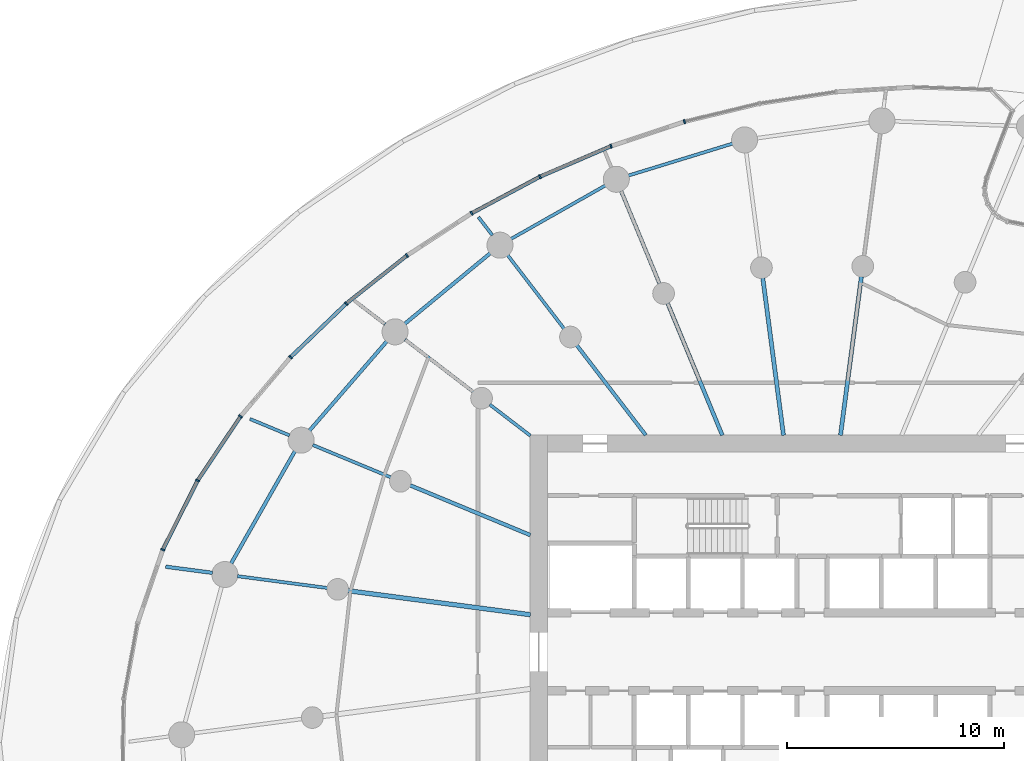
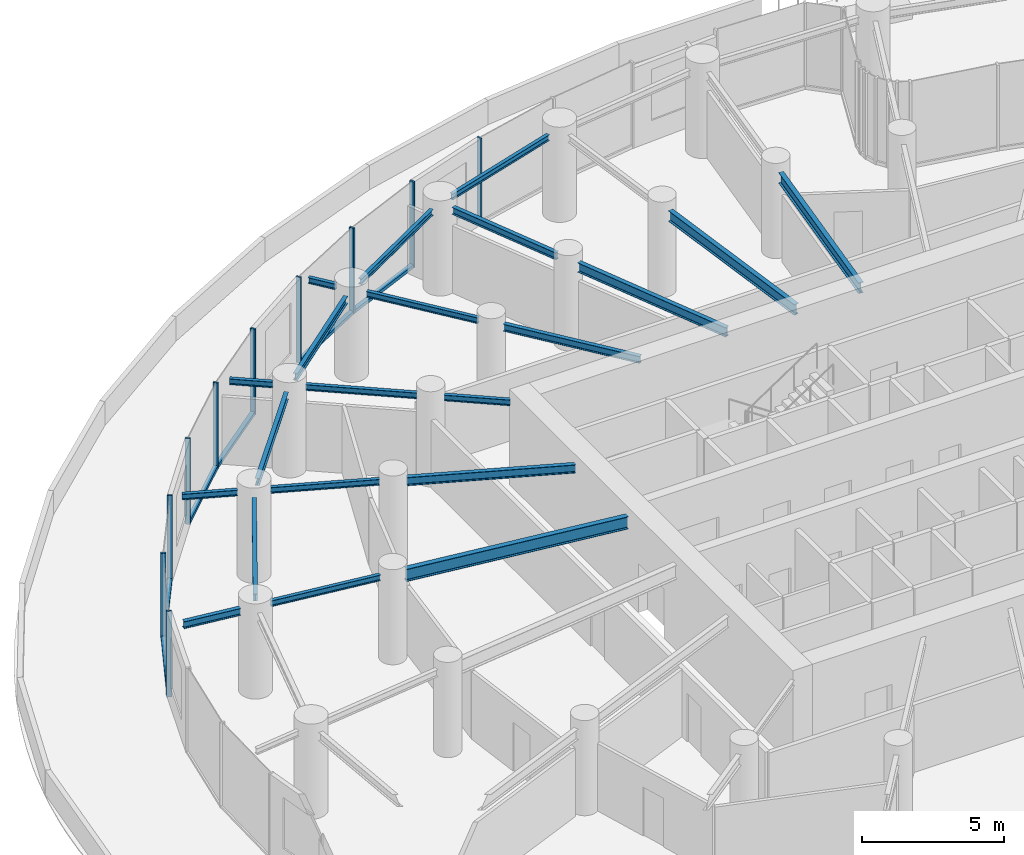
# One storey, part 5 of 24: 21 beams, 16 members, 3 elements without a shape of their own.
"""IFC4 building model written with IfcOpenShell, lengths in metres."""

from ifc_helpers import new_model, si_unit, direction, frame, origin, origin_2d, place, context, subcontext, project, spatial, rectangle, i_section, extrude, source, transform, mapped, material, layer, layer_set, material_profile, profile_set, type_object, element, aggregate, save


model = new_model("IFC4")

# Units and contexts
model_context = context("Model", 3, precision=1e-05, world=origin(), true_north=direction((0.0, 1.0)))
body_context = subcontext(model_context, "Body", "Model", "MODEL_VIEW")
ifc_project = project(units=[si_unit("LENGTHUNIT", "METRE"), si_unit("AREAUNIT", "SQUARE_METRE"), si_unit("VOLUMEUNIT", "CUBIC_METRE"), si_unit("PLANEANGLEUNIT", "RADIAN"), si_unit("MASSUNIT", "GRAM", prefix="KILO")], contexts=[model_context])

# Site, building, storey
site_placement = place(None, origin())
site = spatial("IfcSite", under=ifc_project, at=site_placement, CompositionType="ELEMENT")
building_placement = place(site_placement, origin())
building = spatial("IfcBuilding", under=site, at=building_placement, Name="Spindrift Exchange Tower", CompositionType="ELEMENT")
storey_placement = place(building_placement, frame((0.0, 0.0, 79.800048828125)))
storey = spatial("IfcBuildingStorey", under=building, at=storey_placement, Name="L18", CompositionType="ELEMENT", Elevation=79.800048828125)

# Beams
ifc_material_1 = material(Name="Steel Grade 300", Category="steel")
ifc_material_profile_1 = material_profile(ifc_material_1, i_section(OverallWidth=0.18994140625, OverallDepth=0.45703125, WebThickness=0.009033203125, FlangeThickness=0.014404296875, FilletRadius=0.013916015625, at=origin_2d()), Name="460UB74.6")
ifc_profile_set_1 = profile_set([ifc_material_profile_1], Name="Steel Grade 300")
beam_type_1 = type_object("IfcBeamType", Name="Floor Beam 460UB74.6 Steel Grade 300", PredefinedType="BEAM", material=ifc_profile_set_1)
shared_shape_1 = source(origin(), body_context, "Body", "SweptSolid", [
    extrude(i_section(OverallWidth=0.18994140625, OverallDepth=0.45703125, WebThickness=0.009033203125, FlangeThickness=0.014404296875, FilletRadius=0.013916015625, at=origin_2d()), origin(), (0.0, 0.0, 1.0), 7.374267578125),
])
beam_1_placement = place(storey_placement, frame((53.31396484375, 57.980224609375, 3.471435546875), z_axis=(0.130539295622, 0.99144313619, 0.0), x_axis=(-0.99144313619, 0.130539295622, 0.0)))
element("IfcBeam", 1, at=beam_1_placement, inside=storey, type_object=beam_type_1, Name="L18 radial beam R06A", PredefinedType="BEAM", context=body_context, shape_type="MappedRepresentation", body=[
    mapped(shared_shape_1, transform((0.0, 0.0, 0.0), scale=1.0)),
])
shared_shape_2 = source(origin(), body_context, "Body", "SweptSolid", [
    extrude(i_section(OverallWidth=0.18994140625, OverallDepth=0.45703125, WebThickness=0.009033203125, FlangeThickness=0.014404296875, FilletRadius=0.013916015625, at=origin_2d()), origin(), (0.0, 0.0, 1.0), 7.3095703125),
])
beam_2_placement = place(storey_placement, frame((50.68603515625, 57.980224609375, 3.471435546875), z_axis=(-0.130527087244, 0.991444743541, 0.0), x_axis=(-0.991444743541, -0.130527087244, 0.0)))
element("IfcBeam", 2, at=beam_2_placement, inside=storey, type_object=beam_type_1, Name="L18 radial beam R07A", PredefinedType="BEAM", context=body_context, shape_type="MappedRepresentation", body=[
    mapped(shared_shape_2, transform((0.0, 0.0, 0.0), scale=1.0)),
])
ifc_material_profile_2 = material_profile(ifc_material_1, i_section(OverallWidth=0.177978515625, OverallDepth=0.406005859375, WebThickness=0.0078125, FlangeThickness=0.0126953125, FilletRadius=0.013916015625, at=origin_2d()), Name="410UB59.7")
ifc_profile_set_2 = profile_set([ifc_material_profile_2], Name="Steel Grade 300")
beam_type_2 = type_object("IfcBeamType", Name="Floor Beam 410UB59.7 Steel Grade 300", PredefinedType="BEAM", material=ifc_profile_set_2)
shared_shape_3 = source(origin(), body_context, "Body", "SweptSolid", [
    extrude(i_section(OverallWidth=0.177978515625, OverallDepth=0.406005859375, WebThickness=0.0078125, FlangeThickness=0.0126953125, FilletRadius=0.013916015625, at=origin_2d()), origin(), (0.0, 0.0, 1.0), 6.594482421875),
])
beam_3_placement = place(storey_placement, frame((47.865478515625, 57.9814453125, 3.4970703125), z_axis=(-0.382692929746, 0.92387559851, 0.0), x_axis=(-0.92387559851, -0.382692929746, 0.0)))
element("IfcBeam", 3, at=beam_3_placement, inside=storey, type_object=beam_type_2, Name="L18 radial beam R08A", PredefinedType="BEAM", context=body_context, shape_type="MappedRepresentation", body=[
    mapped(shared_shape_3, transform((0.0, 0.0, 0.0), scale=1.0)),
])
ifc_material_profile_3 = material_profile(ifc_material_1, i_section(OverallWidth=0.1650390625, OverallDepth=0.303955078125, WebThickness=0.006103515625, FlangeThickness=0.01025390625, FilletRadius=0.011474609375, at=origin_2d()), Name="310UB40.4")
ifc_profile_set_3 = profile_set([ifc_material_profile_3], Name="Steel Grade 300")
beam_type_3 = type_object("IfcBeamType", Name="Floor Beam 310UB40.4 Steel Grade 300", PredefinedType="BEAM", material=ifc_profile_set_3)
shared_shape_4 = source(origin(), body_context, "Body", "SweptSolid", [
    extrude(i_section(OverallWidth=0.1650390625, OverallDepth=0.303955078125, WebThickness=0.006103515625, FlangeThickness=0.01025390625, FilletRadius=0.011474609375, at=origin_2d()), origin(), (0.0, 0.0, 1.0), 5.224609375),
])
beam_4_placement = place(storey_placement, frame((44.3388671875, 57.984130859375, 3.5478515625), z_axis=(-0.608741499316, 0.793368632485, 0.0), x_axis=(-0.793368632485, -0.608741499316, 0.0)))
element("IfcBeam", 4, at=beam_4_placement, inside=storey, type_object=beam_type_3, Name="L18 radial beam R09A", PredefinedType="BEAM", context=body_context, shape_type="MappedRepresentation", body=[
    mapped(shared_shape_4, transform((0.0, 0.0, 0.0), scale=1.0)),
])
ifc_material_profile_4 = material_profile(ifc_material_1, i_section(OverallWidth=0.14599609375, OverallDepth=0.251953125, WebThickness=0.006103515625, FlangeThickness=0.008544921875, FilletRadius=0.011962890625, at=origin_2d()), Name="250UB31.4")
ifc_profile_set_4 = profile_set([ifc_material_profile_4], Name="Steel Grade 300")
beam_type_4 = type_object("IfcBeamType", Name="Floor Beam 250UB31.4 Steel Grade 300", PredefinedType="BEAM", material=ifc_profile_set_4)
shared_shape_5 = source(origin(), body_context, "Body", "SweptSolid", [
    extrude(i_section(OverallWidth=0.14599609375, OverallDepth=0.251953125, WebThickness=0.006103515625, FlangeThickness=0.008544921875, FilletRadius=0.011962890625, at=origin_2d()), origin(), (0.0, 0.0, 1.0), 2.353759765625),
])
beam_5_placement = place(storey_placement, frame((39.015869140625, 57.963134765625, 3.573974609375), z_axis=(-0.793367573265, 0.608742879787, 0.0), x_axis=(-0.608742879787, -0.793367573265, 0.0)))
element("IfcBeam", 5, at=beam_5_placement, inside=storey, type_object=beam_type_4, Name="L18 radial beam R10A", PredefinedType="BEAM", context=body_context, shape_type="MappedRepresentation", body=[
    mapped(shared_shape_5, transform((0.0, 0.0, 0.0), scale=1.0)),
])
ifc_material_profile_5 = material_profile(ifc_material_1, i_section(OverallWidth=0.172119140625, OverallDepth=0.35888671875, WebThickness=0.008056640625, FlangeThickness=0.012939453125, FilletRadius=0.013916015625, at=origin_2d()), Name="360UB56.7")
ifc_profile_set_5 = profile_set([ifc_material_profile_5], Name="Steel Grade 300")
beam_type_5 = type_object("IfcBeamType", Name="Floor Beam 360UB56.7 Steel Grade 300", PredefinedType="BEAM", material=ifc_profile_set_5)
shared_shape_6 = source(origin(), body_context, "Body", "SweptSolid", [
    extrude(i_section(OverallWidth=0.172119140625, OverallDepth=0.35888671875, WebThickness=0.008056640625, FlangeThickness=0.012939453125, FilletRadius=0.013916015625, at=origin_2d()), origin(), (0.0, 0.0, 1.0), 6.004638671875),
])
beam_6_placement = place(storey_placement, frame((39.0185546875, 53.377197265625, 3.5205078125), z_axis=(-0.923882044911, 0.38267736684, 0.0), x_axis=(-0.38267736684, -0.923882044911, 0.0)))
element("IfcBeam", 6, at=beam_6_placement, inside=storey, type_object=beam_type_5, Name="L18 radial beam R11A", PredefinedType="BEAM", context=body_context, shape_type="MappedRepresentation", body=[
    mapped(shared_shape_6, transform((0.0, 0.0, 0.0), scale=1.0)),
])
ifc_material_profile_6 = material_profile(ifc_material_1, i_section(OverallWidth=0.208984375, OverallDepth=0.532958984375, WebThickness=0.01025390625, FlangeThickness=0.015625, FilletRadius=0.013916015625, at=origin_2d()), Name="530UB92.4")
ifc_profile_set_6 = profile_set([ifc_material_profile_6], Name="Steel Grade 300")
beam_type_6 = type_object("IfcBeamType", Name="Floor Beam 530UB92.4 Steel Grade 300", PredefinedType="BEAM", material=ifc_profile_set_6)
shared_shape_7 = source(origin(), body_context, "Body", "SweptSolid", [
    extrude(i_section(OverallWidth=0.208984375, OverallDepth=0.532958984375, WebThickness=0.01025390625, FlangeThickness=0.015625, FilletRadius=0.013916015625, at=origin_2d()), origin(), (0.0, 0.0, 1.0), 8.4794921875),
])
beam_7_placement = place(storey_placement, frame((39.019775390625, 49.708984375, 3.433349609375), z_axis=(-0.991446551951, 0.13051335037, 0.0), x_axis=(-0.13051335037, -0.991446551951, 0.0)))
element("IfcBeam", 7, at=beam_7_placement, inside=storey, type_object=beam_type_6, Name="L18 radial beam R12A", PredefinedType="BEAM", context=body_context, shape_type="MappedRepresentation", body=[
    mapped(shared_shape_7, transform((0.0, 0.0, 0.0), scale=1.0)),
])
shared_shape_8 = source(origin(), body_context, "Body", "SweptSolid", [
    extrude(i_section(OverallWidth=0.1650390625, OverallDepth=0.303955078125, WebThickness=0.006103515625, FlangeThickness=0.01025390625, FilletRadius=0.011474609375, at=origin_2d()), origin(), (0.0, 0.0, 1.0), 4.63671875),
])
beam_8_placement = place(storey_placement, frame((44.974609375, 64.9609375, 3.5478515625), z_axis=(-0.382692818086, 0.923875644763, 0.0), x_axis=(-0.923875644763, -0.382692818086, 0.0)))
element("IfcBeam", 8, at=beam_8_placement, inside=storey, type_object=beam_type_3, Name="L18 radial beam R08B", PredefinedType="BEAM", context=body_context, shape_type="MappedRepresentation", body=[
    mapped(shared_shape_8, transform((0.0, 0.0, 0.0), scale=1.0)),
])
shared_shape_9 = source(origin(), body_context, "Body", "SweptSolid", [
    extrude(i_section(OverallWidth=0.14599609375, OverallDepth=0.251953125, WebThickness=0.006103515625, FlangeThickness=0.008544921875, FilletRadius=0.011962890625, at=origin_2d()), origin(), (0.0, 0.0, 1.0), 4.27587890625),
])
beam_9_placement = place(storey_placement, frame((40.573974609375, 62.890625, 3.573974609375), z_axis=(-0.608725184746, 0.793381150177, 0.0), x_axis=(-0.793381150177, -0.608725184746, 0.0)))
element("IfcBeam", 9, at=beam_9_placement, inside=storey, type_object=beam_type_4, Name="L18 radial beam R09B", PredefinedType="BEAM", context=body_context, shape_type="MappedRepresentation", body=[
    mapped(shared_shape_9, transform((0.0, 0.0, 0.0), scale=1.0)),
])
ifc_material_profile_7 = material_profile(ifc_material_1, i_section(OverallWidth=0.14599609375, OverallDepth=0.251953125, WebThickness=0.006103515625, FlangeThickness=0.008544921875, FilletRadius=0.011962890625, at=origin_2d()), Name="250UB31.4")
ifc_profile_set_7 = profile_set([ifc_material_profile_7], Name="Steel Grade 300")
beam_type_7 = type_object("IfcBeamType", Name="Cantilever Beam 250UB31.4 Steel Grade 300", PredefinedType="BEAM", material=ifc_profile_set_7)
shared_shape_10 = source(origin(), body_context, "Body", "SweptSolid", [
    extrude(i_section(OverallWidth=0.14599609375, OverallDepth=0.251953125, WebThickness=0.006103515625, FlangeThickness=0.008544921875, FilletRadius=0.011962890625, at=origin_2d()), origin(), (0.0, 0.0, 1.0), 1.0537109375),
])
beam_10_placement = place(storey_placement, frame((37.264892578125, 67.203125, 3.573974609375), z_axis=(-0.608859474519, 0.793278097699, 0.0), x_axis=(-0.793278097699, -0.608859474519, 0.0)))
element("IfcBeam", 10, at=beam_10_placement, inside=storey, type_object=beam_type_7, Name="L18 cantilever beam R09T", PredefinedType="BEAM", context=body_context, shape_type="MappedRepresentation", body=[
    mapped(shared_shape_10, transform((0.0, 0.0, 0.0), scale=1.0)),
])
shared_shape_11 = source(origin(), body_context, "Body", "SweptSolid", [
    extrude(i_section(OverallWidth=0.14599609375, OverallDepth=0.251953125, WebThickness=0.006103515625, FlangeThickness=0.008544921875, FilletRadius=0.011962890625, at=origin_2d()), origin(), (0.0, 0.0, 1.0), 3.966064453125),
])
beam_11_placement = place(storey_placement, frame((36.38671875, 59.98046875, 3.573974609375), z_axis=(-0.79336256318, 0.608749409318, 0.0), x_axis=(-0.608749409318, -0.79336256318, 0.0)))
element("IfcBeam", 11, at=beam_11_placement, inside=storey, type_object=beam_type_4, Name="L18 radial beam R10B", PredefinedType="BEAM", context=body_context, shape_type="MappedRepresentation", body=[
    mapped(shared_shape_11, transform((0.0, 0.0, 0.0), scale=1.0)),
])
shared_shape_12 = source(origin(), body_context, "Body", "SweptSolid", [
    extrude(i_section(OverallWidth=0.14599609375, OverallDepth=0.251953125, WebThickness=0.006103515625, FlangeThickness=0.008544921875, FilletRadius=0.011962890625, at=origin_2d()), origin(), (0.0, 0.0, 1.0), 1.548095703125),
])
beam_12_placement = place(storey_placement, frame((32.320068359375, 63.10107421875, 3.573974609375), z_axis=(-0.793385485775, 0.608719533908, 0.0), x_axis=(-0.608719533908, -0.793385485775, 0.0)))
element("IfcBeam", 12, at=beam_12_placement, inside=storey, type_object=beam_type_7, Name="L18 cantilever beam R10T", PredefinedType="BEAM", context=body_context, shape_type="MappedRepresentation", body=[
    mapped(shared_shape_12, transform((0.0, 0.0, 0.0), scale=1.0)),
])
shared_shape_13 = source(origin(), body_context, "Body", "SweptSolid", [
    extrude(i_section(OverallWidth=0.14599609375, OverallDepth=0.251953125, WebThickness=0.006103515625, FlangeThickness=0.008544921875, FilletRadius=0.011962890625, at=origin_2d()), origin(), (0.0, 0.0, 1.0), 3.892333984375),
])
beam_13_placement = place(storey_placement, frame((32.583984375, 56.04248046875, 3.573974609375), z_axis=(-0.923878458273, 0.382686025794, 0.0), x_axis=(-0.382686025794, -0.923878458273, 0.0)))
element("IfcBeam", 13, at=beam_13_placement, inside=storey, type_object=beam_type_4, Name="L18 radial beam R11B", PredefinedType="BEAM", context=body_context, shape_type="MappedRepresentation", body=[
    mapped(shared_shape_13, transform((0.0, 0.0, 0.0), scale=1.0)),
])
shared_shape_14 = source(origin(), body_context, "Body", "SweptSolid", [
    extrude(i_section(OverallWidth=0.14599609375, OverallDepth=0.251953125, WebThickness=0.006103515625, FlangeThickness=0.008544921875, FilletRadius=0.011962890625, at=origin_2d()), origin(), (0.0, 0.0, 1.0), 1.976806640625),
])
beam_14_placement = place(storey_placement, frame((27.91650390625, 57.975830078125, 3.573974609375), z_axis=(-0.923911476661, 0.382606303261, 0.0), x_axis=(-0.382606303261, -0.923911476661, 0.0)))
element("IfcBeam", 14, at=beam_14_placement, inside=storey, type_object=beam_type_7, Name="L18 cantilever beam R11T", PredefinedType="BEAM", context=body_context, shape_type="MappedRepresentation", body=[
    mapped(shared_shape_14, transform((0.0, 0.0, 0.0), scale=1.0)),
])
shared_shape_15 = source(origin(), body_context, "Body", "SweptSolid", [
    extrude(i_section(OverallWidth=0.14599609375, OverallDepth=0.251953125, WebThickness=0.006103515625, FlangeThickness=0.008544921875, FilletRadius=0.011962890625, at=origin_2d()), origin(), (0.0, 0.0, 1.0), 4.186279296875),
])
beam_15_placement = place(storey_placement, frame((29.660888671875, 50.94091796875, 3.573974609375), z_axis=(-0.991445559167, 0.130520891848, 0.0), x_axis=(-0.130520891848, -0.991445559167, 0.0)))
element("IfcBeam", 15, at=beam_15_placement, inside=storey, type_object=beam_type_4, Name="L18 radial beam R12B", PredefinedType="BEAM", context=body_context, shape_type="MappedRepresentation", body=[
    mapped(shared_shape_15, transform((0.0, 0.0, 0.0), scale=1.0)),
])
ifc_material_profile_8 = material_profile(ifc_material_1, i_section(OverallWidth=0.1650390625, OverallDepth=0.303955078125, WebThickness=0.006103515625, FlangeThickness=0.01025390625, FilletRadius=0.011474609375, at=origin_2d()), Name="310UB40.4")
ifc_profile_set_8 = profile_set([ifc_material_profile_8], Name="Steel Grade 300")
beam_type_8 = type_object("IfcBeamType", Name="Cantilever Beam 310UB40.4 Steel Grade 300", PredefinedType="BEAM", material=ifc_profile_set_8)
shared_shape_16 = source(origin(), body_context, "Body", "SweptSolid", [
    extrude(i_section(OverallWidth=0.1650390625, OverallDepth=0.303955078125, WebThickness=0.006103515625, FlangeThickness=0.01025390625, FilletRadius=0.011474609375, at=origin_2d()), origin(), (0.0, 0.0, 1.0), 2.172119140625),
])
beam_16_placement = place(storey_placement, frame((24.360595703125, 51.638916015625, 3.5478515625), z_axis=(-0.991449321527, 0.130492309522, 0.0), x_axis=(-0.130492309522, -0.991449321527, 0.0)))
element("IfcBeam", 16, at=beam_16_placement, inside=storey, type_object=beam_type_8, Name="L18 cantilever beam R12T", PredefinedType="BEAM", context=body_context, shape_type="MappedRepresentation", body=[
    mapped(shared_shape_16, transform((0.0, 0.0, 0.0), scale=1.0)),
])
ifc_material_profile_9 = material_profile(ifc_material_1, i_section(OverallWidth=0.14599609375, OverallDepth=0.251953125, WebThickness=0.006103515625, FlangeThickness=0.008544921875, FilletRadius=0.011962890625, at=origin_2d()), Name="250UB31.4")
ifc_profile_set_9 = profile_set([ifc_material_profile_9], Name="Steel Grade 300")
beam_type_9 = type_object("IfcBeamType", Name="Edge Beam 250UB31.4 Steel Grade 300", PredefinedType="SPANDREL", material=ifc_profile_set_9)
shared_shape_17 = source(origin(), body_context, "Body", "SweptSolid", [
    extrude(i_section(OverallWidth=0.14599609375, OverallDepth=0.251953125, WebThickness=0.006103515625, FlangeThickness=0.008544921875, FilletRadius=0.011962890625, at=origin_2d()), origin(), (0.0, 0.0, 1.0), 5.027587890625),
])
beam_17_placement = place(storey_placement, frame((48.339111328125, 71.42529296875, 3.573974609375), z_axis=(-0.956018084082, -0.293307727325, 0.0), x_axis=(0.293307727325, -0.956018084082, 0.0)))
element("IfcBeam", 17, at=beam_17_placement, inside=storey, type_object=beam_type_9, Name="L18 edge beam E07", PredefinedType="SPANDREL", context=body_context, shape_type="MappedRepresentation", body=[
    mapped(shared_shape_17, transform((0.0, 0.0, 0.0), scale=1.0)),
])
shared_shape_18 = source(origin(), body_context, "Body", "SweptSolid", [
    extrude(i_section(OverallWidth=0.14599609375, OverallDepth=0.251953125, WebThickness=0.006103515625, FlangeThickness=0.008544921875, FilletRadius=0.011962890625, at=origin_2d()), origin(), (0.0, 0.0, 1.0), 5.0009765625),
])
beam_18_placement = place(storey_placement, frame((42.4736328125, 69.494384765625, 3.573974609375), z_axis=(-0.870045916697, -0.492970691663, 0.0), x_axis=(0.492970691663, -0.870045916697, 0.0)))
element("IfcBeam", 18, at=beam_18_placement, inside=storey, type_object=beam_type_9, Name="L18 edge beam E08", PredefinedType="SPANDREL", context=body_context, shape_type="MappedRepresentation", body=[
    mapped(shared_shape_18, transform((0.0, 0.0, 0.0), scale=1.0)),
])
ifc_material_profile_10 = material_profile(ifc_material_1, i_section(OverallWidth=0.1650390625, OverallDepth=0.303955078125, WebThickness=0.006103515625, FlangeThickness=0.01025390625, FilletRadius=0.011474609375, at=origin_2d()), Name="310UB40.4")
ifc_profile_set_10 = profile_set([ifc_material_profile_10], Name="Steel Grade 300")
beam_type_10 = type_object("IfcBeamType", Name="Edge Beam 310UB40.4 Steel Grade 300", PredefinedType="SPANDREL", material=ifc_profile_set_10)
shared_shape_19 = source(origin(), body_context, "Body", "SweptSolid", [
    extrude(i_section(OverallWidth=0.1650390625, OverallDepth=0.303955078125, WebThickness=0.006103515625, FlangeThickness=0.01025390625, FilletRadius=0.011474609375, at=origin_2d()), origin(), (0.0, 0.0, 1.0), 5.114501953125),
])
beam_19_placement = place(storey_placement, frame((37.1708984375, 66.373779296875, 3.5478515625), z_axis=(-0.771073837992, -0.63674573918, 0.0), x_axis=(0.63674573918, -0.771073837992, 0.0)))
element("IfcBeam", 19, at=beam_19_placement, inside=storey, type_object=beam_type_10, Name="L18 edge beam E09", PredefinedType="SPANDREL", context=body_context, shape_type="MappedRepresentation", body=[
    mapped(shared_shape_19, transform((0.0, 0.0, 0.0), scale=1.0)),
])
shared_shape_20 = source(origin(), body_context, "Body", "SweptSolid", [
    extrude(i_section(OverallWidth=0.1650390625, OverallDepth=0.303955078125, WebThickness=0.006103515625, FlangeThickness=0.01025390625, FilletRadius=0.011474609375, at=origin_2d()), origin(), (0.0, 0.0, 1.0), 5.448486328125),
])
beam_20_placement = place(storey_placement, frame((32.400390625, 62.3095703125, 3.5478515625), z_axis=(-0.654922008827, -0.755696475018, 0.0), x_axis=(0.755696475018, -0.654922008827, 0.0)))
element("IfcBeam", 20, at=beam_20_placement, inside=storey, type_object=beam_type_10, Name="L18 edge beam E10", PredefinedType="SPANDREL", context=body_context, shape_type="MappedRepresentation", body=[
    mapped(shared_shape_20, transform((0.0, 0.0, 0.0), scale=1.0)),
])
shared_shape_21 = source(origin(), body_context, "Body", "SweptSolid", [
    extrude(i_section(OverallWidth=0.1650390625, OverallDepth=0.303955078125, WebThickness=0.006103515625, FlangeThickness=0.01025390625, FilletRadius=0.011474609375, at=origin_2d()), origin(), (0.0, 0.0, 1.0), 5.9599609375),
])
beam_21_placement = place(storey_placement, frame((28.165771484375, 57.24951171875, 3.5478515625), z_axis=(-0.493940434745, -0.869495742901, 0.0), x_axis=(0.869495742901, -0.493940434745, 0.0)))
element("IfcBeam", 21, at=beam_21_placement, inside=storey, type_object=beam_type_10, Name="L18 edge beam E11", PredefinedType="SPANDREL", context=body_context, shape_type="MappedRepresentation", body=[
    mapped(shared_shape_21, transform((0.0, 0.0, 0.0), scale=1.0)),
])

# Curtain wall, members
ifc_material_2 = material(Name="Fritted laminated glass with bronze frame", Category="glass")
ifc_layer = layer(ifc_material_2, 0.18994140625)
ifc_layer_set = layer_set([ifc_layer], Name="ZONE 2 BRONZE FRITTED WALL")
curtain_wall_type = type_object("IfcCurtainWallType", Name="ZONE 2 BRONZE FRITTED WALL", PredefinedType="NOTDEFINED", material=ifc_layer_set)
curtain_wall_1_placement = place(storey_placement, origin())
curtain_wall_1 = element("IfcCurtainWall", 22, at=curtain_wall_1_placement, inside=storey, type_object=curtain_wall_type, Name="L18 Zone 2 Bronze Fritted Wall run 1", PredefinedType="NOTDEFINED")
ifc_material_3 = material(Name="Bronze anodised aluminium", Category="aluminium")
ifc_material_profile_11 = material_profile(ifc_material_3, rectangle(XDim=0.074951171875, YDim=0.18994140625, at=origin_2d()), Name="ZONE 2 BRONZE FRITTED WALL MULLION 75X190")
ifc_profile_set_11 = profile_set([ifc_material_profile_11], Name="Bronze anodised aluminium")
member_type_1 = type_object("IfcMemberType", Name="ZONE 2 BRONZE FRITTED WALL MULLION 75X190", PredefinedType="MULLION", material=ifc_profile_set_11)
shared_shape_22 = source(origin(), body_context, "Body", "SweptSolid", [
    extrude(rectangle(XDim=0.074951171875, YDim=0.18994140625, at=origin_2d()), origin(), (0.0, 0.0, 1.0), 3.699951171875),
])
member_1_placement = place(storey_placement, frame((46.118408203125, 72.435302734375, 0.0), z_axis=(0.0, 0.0, 1.0), x_axis=(-0.961216262977, -0.275795750126, 0.0)))
member_1 = element("IfcMember", 23, at=member_1_placement, type_object=member_type_1, Name="L18 mullion CW-2.5", PredefinedType="MULLION", context=body_context, shape_type="MappedRepresentation", body=[
    mapped(shared_shape_22, transform((0.0, 0.0, 0.0), scale=1.0)),
])
member_2_placement = place(storey_placement, frame((42.734619140625, 71.307373046875, 0.0), z_axis=(0.0, 0.0, 1.0), x_axis=(-0.93451366428, -0.355927255593, 0.0)))
member_2 = element("IfcMember", 24, at=member_2_placement, type_object=member_type_1, Name="L18 mullion CW-2.6", PredefinedType="MULLION", context=body_context, shape_type="MappedRepresentation", body=[
    mapped(shared_shape_22, transform((0.0, 0.0, 0.0), scale=1.0)),
])

curtain_wall_2_placement = place(storey_placement, origin())
curtain_wall_2 = element("IfcCurtainWall", 25, at=curtain_wall_2_placement, inside=storey, type_object=curtain_wall_type, Name="L18 Zone 2 Bronze Fritted Wall run 2", PredefinedType="NOTDEFINED")
member_3_placement = place(storey_placement, frame((39.4580078125, 69.8984375, 0.0), z_axis=(0.0, 0.0, 1.0), x_axis=(-0.901003645451, -0.433811515389, 0.0)))
member_3 = element("IfcMember", 26, at=member_3_placement, type_object=member_type_1, Name="L18 mullion CW-2.7", PredefinedType="MULLION", context=body_context, shape_type="MappedRepresentation", body=[
    mapped(shared_shape_22, transform((0.0, 0.0, 0.0), scale=1.0)),
])
member_4_placement = place(storey_placement, frame((36.313232421875, 68.2158203125, 0.0), z_axis=(0.0, 0.0, 1.0), x_axis=(-0.860221849334, -0.509919964238, 0.0)))
member_4 = element("IfcMember", 27, at=member_4_placement, type_object=member_type_1, Name="L18 mullion CW-2.8", PredefinedType="MULLION", context=body_context, shape_type="MappedRepresentation", body=[
    mapped(shared_shape_22, transform((0.0, 0.0, 0.0), scale=1.0)),
])
member_5_placement = place(storey_placement, frame((33.32763671875, 66.2646484375, 0.0), z_axis=(0.0, 0.0, 1.0), x_axis=(-0.811324967582, -0.584595413066, 0.0)))
member_5 = element("IfcMember", 28, at=member_5_placement, type_object=member_type_1, Name="L18 mullion CW-2.9", PredefinedType="MULLION", context=body_context, shape_type="MappedRepresentation", body=[
    mapped(shared_shape_22, transform((0.0, 0.0, 0.0), scale=1.0)),
])
member_6_placement = place(storey_placement, frame((30.531982421875, 64.050048828125, 0.0), z_axis=(0.0, 0.0, 1.0), x_axis=(-0.753079415271, -0.657929627161, 0.0)))
member_6 = element("IfcMember", 29, at=member_6_placement, type_object=member_type_1, Name="L18 mullion CW-2.10", PredefinedType="MULLION", context=body_context, shape_type="MappedRepresentation", body=[
    mapped(shared_shape_22, transform((0.0, 0.0, 0.0), scale=1.0)),
])
member_7_placement = place(storey_placement, frame((27.96240234375, 61.5771484375, 0.0), z_axis=(0.0, 0.0, 1.0), x_axis=(-0.683865410873, -0.729608182391, 0.0)))
member_7 = element("IfcMember", 30, at=member_7_placement, type_object=member_type_1, Name="L18 mullion CW-2.11", PredefinedType="MULLION", context=body_context, shape_type="MappedRepresentation", body=[
    mapped(shared_shape_22, transform((0.0, 0.0, 0.0), scale=1.0)),
])
member_8_placement = place(storey_placement, frame((25.660888671875, 58.853271484375, 0.0), z_axis=(0.0, 0.0, 1.0), x_axis=(-0.601625393173, -0.798778371195, 0.0)))
member_8 = element("IfcMember", 31, at=member_8_placement, type_object=member_type_1, Name="L18 mullion CW-2.12", PredefinedType="MULLION", context=body_context, shape_type="MappedRepresentation", body=[
    mapped(shared_shape_22, transform((0.0, 0.0, 0.0), scale=1.0)),
])

curtain_wall_3_placement = place(storey_placement, origin())
curtain_wall_3 = element("IfcCurtainWall", 32, at=curtain_wall_3_placement, inside=storey, type_object=curtain_wall_type, Name="L18 Zone 2 Bronze Fritted Wall run 3", PredefinedType="NOTDEFINED")
member_9_placement = place(storey_placement, frame((23.678466796875, 55.889404296875, 0.0), z_axis=(0.0, 0.0, 1.0), x_axis=(-0.503963086588, -0.863725192035, 0.0)))
member_9 = element("IfcMember", 33, at=member_9_placement, type_object=member_type_1, Name="L18 mullion CW-2.13", PredefinedType="MULLION", context=body_context, shape_type="MappedRepresentation", body=[
    mapped(shared_shape_22, transform((0.0, 0.0, 0.0), scale=1.0)),
])
member_10_placement = place(storey_placement, frame((22.073974609375, 52.70556640625, 0.0), z_axis=(0.0, 0.0, 1.0), x_axis=(-0.388457676179, -0.921466566848, 0.0)))
member_10 = element("IfcMember", 34, at=member_10_placement, type_object=member_type_1, Name="L18 mullion CW-2.14", PredefinedType="MULLION", context=body_context, shape_type="MappedRepresentation", body=[
    mapped(shared_shape_22, transform((0.0, 0.0, 0.0), scale=1.0)),
])

# Member
ifc_material_profile_12 = material_profile(ifc_material_3, rectangle(XDim=0.169921875, YDim=0.139892578125, at=origin_2d()), Name="ZONE 2 BRONZE FRITTED WALL TRANSOM 170X140")
ifc_profile_set_12 = profile_set([ifc_material_profile_12], Name="Bronze anodised aluminium")
member_type_2 = type_object("IfcMemberType", Name="ZONE 2 BRONZE FRITTED WALL TRANSOM 170X140", PredefinedType="USERDEFINED", material=ifc_profile_set_12)
shared_shape_23 = source(origin(), body_context, "Body", "SweptSolid", [
    extrude(rectangle(XDim=0.169921875, YDim=0.139892578125, at=origin_2d()), origin(), (0.0, 0.0, 1.0), 3.4912109375),
])
member_11_placement = place(storey_placement, frame((33.29833984375, 66.2412109375, 0.070068359375), z_axis=(-0.783895496819, -0.620892784679, 0.0), x_axis=(0.620892784679, -0.783895496819, 0.0)))
member_11 = element("IfcMember", 35, at=member_11_placement, type_object=member_type_2, Name="L18 transom CW-2.9", ObjectType="TRANSOM", PredefinedType="USERDEFINED", context=body_context, shape_type="MappedRepresentation", body=[
    mapped(shared_shape_23, transform((0.0, 0.0, 0.0), scale=1.0)),
])

member_12_placement = place(storey_placement, frame((30.505126953125, 64.024169921875, 0.070068359375), z_axis=(-0.720542752942, -0.693410514186, 0.0), x_axis=(0.693410514186, -0.720542752942, 0.0)))
member_12 = element("IfcMember", 36, at=member_12_placement, type_object=member_type_2, Name="L18 transom CW-2.10", ObjectType="TRANSOM", PredefinedType="USERDEFINED", context=body_context, shape_type="MappedRepresentation", body=[
    mapped(shared_shape_23, transform((0.0, 0.0, 0.0), scale=1.0)),
])

shared_shape_24 = source(origin(), body_context, "Body", "SweptSolid", [
    extrude(rectangle(XDim=0.169921875, YDim=0.139892578125, at=origin_2d()), origin(), (0.0, 0.0, 1.0), 3.49169921875),
])
member_13_placement = place(storey_placement, frame((42.7001953125, 71.29248046875, 0.070068359375), z_axis=(-0.918688724612, -0.394982312606, 0.0), x_axis=(0.394982312606, -0.918688724612, 0.0)))
member_13 = element("IfcMember", 37, at=member_13_placement, type_object=member_type_2, Name="L18 transom CW-2.6", ObjectType="TRANSOM", PredefinedType="USERDEFINED", context=body_context, shape_type="MappedRepresentation", body=[
    mapped(shared_shape_24, transform((0.0, 0.0, 0.0), scale=1.0)),
])

aggregate(curtain_wall_1, [member_1, member_2, member_13])

member_14_placement = place(storey_placement, frame((39.425048828125, 69.880859375, 0.070068359375), z_axis=(-0.881694005758, -0.471821661447, 0.0), x_axis=(0.471821661447, -0.881694005758, 0.0)))
member_14 = element("IfcMember", 38, at=member_14_placement, type_object=member_type_2, Name="L18 transom CW-2.7", ObjectType="TRANSOM", PredefinedType="USERDEFINED", context=body_context, shape_type="MappedRepresentation", body=[
    mapped(shared_shape_24, transform((0.0, 0.0, 0.0), scale=1.0)),
])

shared_shape_25 = source(origin(), body_context, "Body", "SweptSolid", [
    extrude(rectangle(XDim=0.169921875, YDim=0.139892578125, at=origin_2d()), origin(), (0.0, 0.0, 1.0), 3.490478515625),
])
member_15_placement = place(storey_placement, frame((25.64013671875, 58.822021484375, 0.070068359375), z_axis=(-0.555974654386, -0.831199244273, 0.0), x_axis=(0.831199244273, -0.555974654386, 0.0)))
member_15 = element("IfcMember", 39, at=member_15_placement, type_object=member_type_2, Name="L18 transom CW-2.12", ObjectType="TRANSOM", PredefinedType="USERDEFINED", context=body_context, shape_type="MappedRepresentation", body=[
    mapped(shared_shape_25, transform((0.0, 0.0, 0.0), scale=1.0)),
])

aggregate(curtain_wall_2, [member_3, member_14, member_4, member_5, member_11, member_6, member_12, member_7, member_8, member_15])

member_16_placement = place(storey_placement, frame((23.66162109375, 55.85595703125, 0.070068359375), z_axis=(-0.450037211083, -0.893009803216, 0.0), x_axis=(0.893009803216, -0.450037211083, 0.0)))
member_16 = element("IfcMember", 40, at=member_16_placement, type_object=member_type_2, Name="L18 transom CW-2.13", ObjectType="TRANSOM", PredefinedType="USERDEFINED", context=body_context, shape_type="MappedRepresentation", body=[
    mapped(shared_shape_25, transform((0.0, 0.0, 0.0), scale=1.0)),
])

aggregate(curtain_wall_3, [member_9, member_16, member_10])

save(model, "model.ifc")
